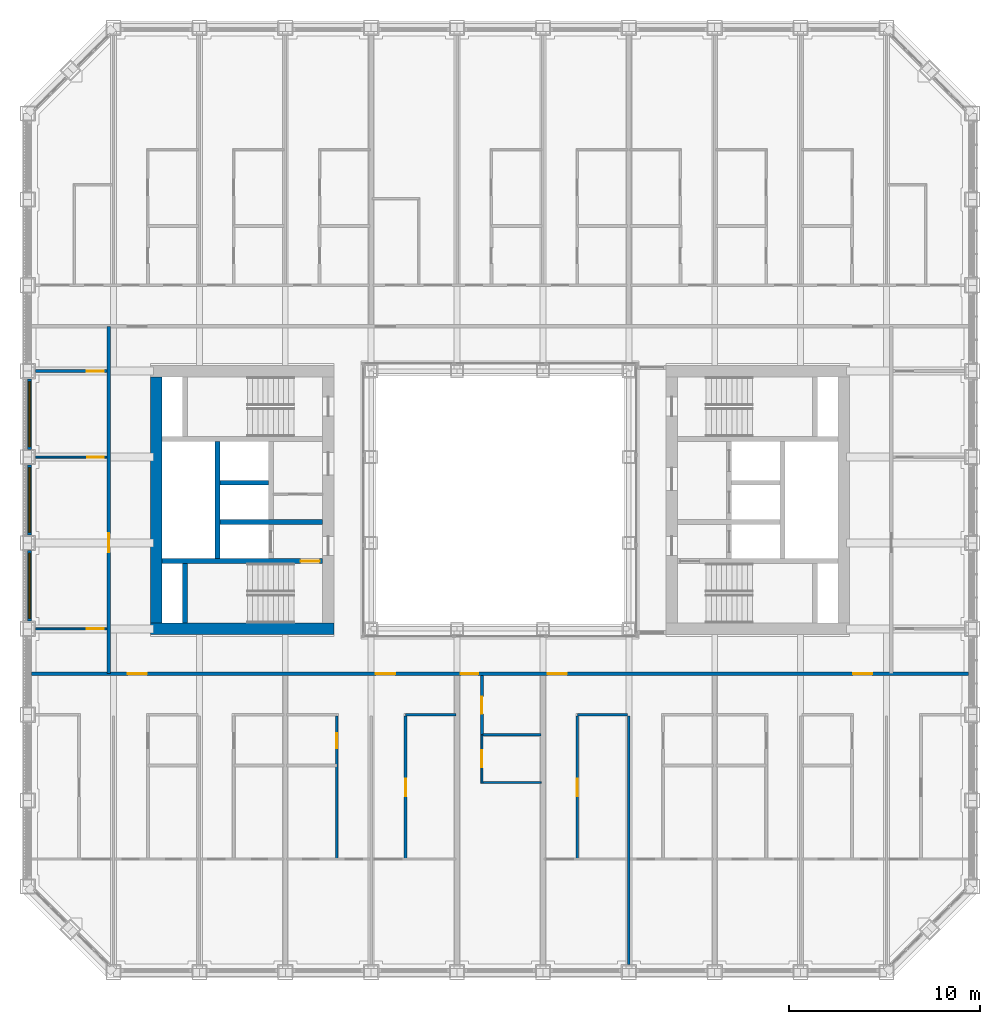
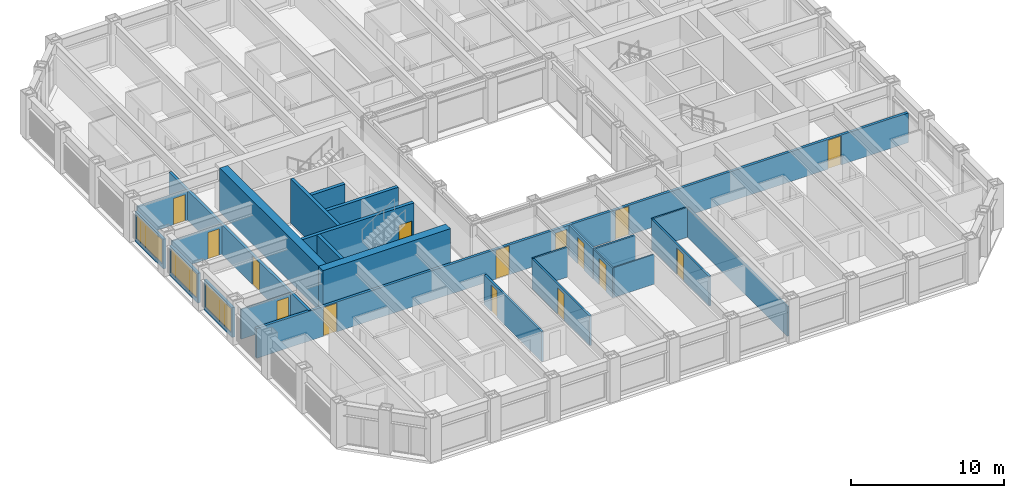
# One storey, part 10 of 21: 25 walls, 15 doors, 3 windows, 18 openings.
"""IFC4 building model written with IfcOpenShell, lengths in metres."""

from ifc_helpers import new_model, si_unit, direction, frame, frame_2d, origin, place, context, subcontext, project, spatial, rectangle, extrude, material, layer, layer_set, type_object, element, fill, save


model = new_model("IFC4")

# Units and contexts
model_context = context("Model", 3, precision=1e-05, world=origin(), true_north=direction((0.0, 1.0)))
body_context = subcontext(model_context, "Body", "Model", "MODEL_VIEW")
ifc_project = project(units=[si_unit("LENGTHUNIT", "METRE"), si_unit("AREAUNIT", "SQUARE_METRE"), si_unit("VOLUMEUNIT", "CUBIC_METRE"), si_unit("PLANEANGLEUNIT", "RADIAN"), si_unit("MASSUNIT", "GRAM", prefix="KILO")], contexts=[model_context])

# Site, building, storey
site_placement = place(None, origin())
site = spatial("IfcSite", under=ifc_project, at=site_placement, CompositionType="ELEMENT")
building_placement = place(site_placement, origin())
building = spatial("IfcBuilding", under=site, at=building_placement, Name="Msasa Ring Tower", CompositionType="ELEMENT")
storey_placement = place(building_placement, frame((0.0, 0.0, 68.5)))
storey = spatial("IfcBuildingStorey", under=building, at=storey_placement, Name="L17", CompositionType="ELEMENT", Elevation=68.5)

# Walls
ifc_material_1 = material(Name="Concrete C60/75", Category="concrete")
ifc_layer_1 = layer(ifc_material_1, 0.60009765625)
ifc_layer_set_1 = layer_set([ifc_layer_1], Name="CW1 CORE WALL 600")
wall_type_1 = type_object("IfcWallType", Name="CW1 CORE WALL 600", PredefinedType="SHEAR", material=ifc_layer_set_1)
wall_1_placement = place(storey_placement, frame((-8.699951171875, -6.75, 0.0), z_axis=(0.0, 0.0, 1.0), x_axis=(-1.0, 0.0, 0.0)))
element("IfcWall", 1, at=wall_1_placement, inside=storey, type_object=wall_type_1, Name="W core wall S L17", PredefinedType="SHEAR", context=body_context, shape_type="SweptSolid", body=[
    extrude(rectangle(XDim=9.60009765625, YDim=0.60009765625, at=frame_2d((4.800048828125, 0.0))), origin(), (0.0, 0.0, 1.0), 3.5),
])
wall_2_placement = place(storey_placement, frame((-18.0, -6.449951171875, 0.0), z_axis=(0.0, 0.0, 1.0), x_axis=(0.0, 1.0, 0.0)))
element("IfcWall", 2, at=wall_2_placement, inside=storey, type_object=wall_type_1, Name="W core wall E L17", PredefinedType="SHEAR", context=body_context, shape_type="SweptSolid", body=[
    extrude(rectangle(XDim=12.89990234375, YDim=0.60009765625, at=frame_2d((6.449951171875, 0.0))), origin(), (0.0, 0.0, 1.0), 3.5),
])

# Wall, opening, door
ifc_material_2 = material(Name="Concrete C60/75", Category="concrete")
ifc_layer_2 = layer(ifc_material_2, 0.25)
ifc_layer_set_2 = layer_set([ifc_layer_2], Name="CW4 CORE INNER WALL 250")
wall_type_2 = type_object("IfcWallType", Name="CW4 CORE INNER WALL 250", PredefinedType="SHEAR", material=ifc_layer_set_2)
wall_3_placement = place(storey_placement, frame((-9.300048828125, -3.199951171875, 0.0), z_axis=(0.0, 0.0, 1.0), x_axis=(-1.0, 0.0, 0.0)))
wall_3 = element("IfcWall", 3, at=wall_3_placement, inside=storey, type_object=wall_type_2, Name="W core wall STAIRA L17", PredefinedType="SHEAR", context=body_context, shape_type="SweptSolid", body=[
    extrude(rectangle(XDim=8.39990234375, YDim=0.25, at=frame_2d((4.199951171875, 0.0))), origin(), (0.0, 0.0, 1.0), 3.5),
])
opening_1_placement = place(wall_3_placement, frame((0.14990234375, 0.0, 0.0)))
opening_1 = element("IfcOpeningElement", 4, at=opening_1_placement, cuts=wall_3, Name="Opening RE-051", PredefinedType="OPENING", context=body_context, shape_type="SweptSolid", body=[
    extrude(rectangle(XDim=1.0, YDim=2.10009765625, at=frame_2d((0.5, 1.050048828125))), frame((0.0, 0.135009765625, 0.0), z_axis=(0.0, -1.0, 0.0), x_axis=(1.0, 0.0, 0.0)), (0.0, 0.0, 1.0), 0.27001953125),
])
ifc_material_3 = material(Name="Timber door leaf in a steel frame", Category="steel")
door_type_1 = type_object("IfcDoorType", Name="D6 STAIR DOOR 1000x2100", OperationType="SINGLE_SWING_LEFT", PredefinedType="DOOR", material=ifc_material_3)
door_1_placement = place(opening_1_placement, origin())
door_1 = element("IfcDoor", 5, at=door_1_placement, inside=storey, type_object=door_type_1, Name="Door L17-WSTA", OperationType="SINGLE_SWING_LEFT", OverallHeight=2.10009765625, OverallWidth=1.0, PredefinedType="DOOR", context=body_context, shape_type="SweptSolid", body=[
    extrude(rectangle(XDim=1.0, YDim=2.10009765625, at=frame_2d((0.5, 1.050048828125))), frame((0.0, 0.02490234375, 0.0), z_axis=(0.0, -1.0, 0.0), x_axis=(1.0, 0.0, 0.0)), (0.0, 0.0, 1.0), 0.050048828125),
])
fill(opening_1, door_1)

# Walls
wall_4_placement = place(storey_placement, frame((-16.5, -6.449951171875, 0.0), z_axis=(0.0, 0.0, 1.0), x_axis=(0.0, 1.0, 0.0)))
element("IfcWall", 6, at=wall_4_placement, inside=storey, type_object=wall_type_2, Name="W core wall RISERA L17", PredefinedType="SHEAR", context=body_context, shape_type="SweptSolid", body=[
    extrude(rectangle(XDim=3.125, YDim=0.25, at=frame_2d((1.5625, 0.0))), origin(), (0.0, 0.0, 1.0), 3.5),
])
wall_5_placement = place(storey_placement, frame((-9.300048828125, -1.14990234375, 0.0), z_axis=(0.0, 0.0, 1.0), x_axis=(-1.0, 0.0, 0.0)))
element("IfcWall", 7, at=wall_5_placement, inside=storey, type_object=wall_type_2, Name="W core wall FFL L17", PredefinedType="SHEAR", context=body_context, shape_type="SweptSolid", body=[
    extrude(rectangle(XDim=5.375, YDim=0.25, at=frame_2d((2.6875, 0.0))), origin(), (0.0, 0.0, 1.0), 3.5),
])
wall_6_placement = place(storey_placement, frame((-14.800048828125, -3.074951171875, 0.0), z_axis=(0.0, 0.0, 1.0), x_axis=(0.0, 1.0, 0.0)))
element("IfcWall", 8, at=wall_6_placement, inside=storey, type_object=wall_type_2, Name="W core wall SHAFT L17", PredefinedType="SHEAR", context=body_context, shape_type="SweptSolid", body=[
    extrude(rectangle(XDim=6.14990234375, YDim=0.25, at=frame_2d((3.074951171875, 0.0))), origin(), (0.0, 0.0, 1.0), 3.5),
])
wall_7_placement = place(storey_placement, frame((-12.125, 0.89990234375, 0.0), z_axis=(0.0, 0.0, 1.0), x_axis=(-1.0, 0.0, 0.0)))
element("IfcWall", 9, at=wall_7_placement, inside=storey, type_object=wall_type_2, Name="W core wall LIFT1 L17", PredefinedType="SHEAR", context=body_context, shape_type="SweptSolid", body=[
    extrude(rectangle(XDim=2.550048828125, YDim=0.25, at=frame_2d((1.27490234375, 0.0))), origin(), (0.0, 0.0, 1.0), 3.5),
])

# Wall, opening, window
ifc_material_4 = material(Name="Terracotta rainscreen on blockwork", Category="masonry")
ifc_layer_3 = layer(ifc_material_4, 0.199951171875)
ifc_layer_set_3 = layer_set([ifc_layer_3], Name="FW1 TERRACOTTA-LINED INFILL BAY WALL 200")
wall_type_3 = type_object("IfcWallType", Name="FW1 TERRACOTTA-LINED INFILL BAY WALL 200", PredefinedType="SOLIDWALL", material=ifc_layer_set_3)
wall_8_placement = place(storey_placement, frame((-24.64990234375, -6.344970703125, 0.0), z_axis=(0.0, 0.0, 1.0), x_axis=(0.0, 1.0, 0.0)))
wall_8 = element("IfcWall", 10, at=wall_8_placement, inside=storey, type_object=wall_type_3, Name="Infill bay wall W L17 36", PredefinedType="SOLIDWALL", context=body_context, shape_type="SweptSolid", body=[
    extrude(rectangle(XDim=3.68994140625, YDim=0.199951171875, at=frame_2d((1.844970703125, 0.0))), origin(), (0.0, 0.0, 1.0), 2.37890625),
])
opening_2_placement = place(wall_8_placement, frame((0.14501953125, 0.0, 0.300048828125)))
opening_2 = element("IfcOpeningElement", 11, at=opening_2_placement, cuts=wall_8, Name="Opening WN1", PredefinedType="OPENING", context=body_context, shape_type="SweptSolid", body=[
    extrude(rectangle(XDim=3.39990234375, YDim=1.928955078125, at=frame_2d((1.699951171875, 0.96435546875))), frame((0.0, 0.10986328125, 0.0), z_axis=(0.0, -1.0, 0.0), x_axis=(1.0, 0.0, 0.0)), (0.0, 0.0, 1.0), 0.219970703125),
])
ifc_material_5 = material(Name="Aluminium frame with clear glass", Category="aluminium")
window_type = type_object("IfcWindowType", Name="WN1 RESIDENCE WINDOW 3400x1929", PartitioningType="SINGLE_PANEL", PredefinedType="WINDOW", material=ifc_material_5)
window_1_placement = place(opening_2_placement, origin())
window_1 = element("IfcWindow", 12, at=window_1_placement, inside=storey, type_object=window_type, Name="Window W L17 36", OverallHeight=1.928955078125, OverallWidth=3.39990234375, PartitioningType="SINGLE_PANEL", PredefinedType="WINDOW", context=body_context, shape_type="SweptSolid", body=[
    extrude(rectangle(XDim=3.39990234375, YDim=1.928955078125, at=frame_2d((1.699951171875, 0.96435546875))), frame((0.0, 0.030029296875, 0.0), z_axis=(0.0, -1.0, 0.0), x_axis=(1.0, 0.0, 0.0)), (0.0, 0.0, 1.0), 0.06005859375),
])
fill(opening_2, window_1)

wall_9_placement = place(storey_placement, frame((-24.64990234375, -1.844970703125, 0.0), z_axis=(0.0, 0.0, 1.0), x_axis=(0.0, 1.0, 0.0)))
wall_9 = element("IfcWall", 13, at=wall_9_placement, inside=storey, type_object=wall_type_3, Name="Infill bay wall W L17 37", PredefinedType="SOLIDWALL", context=body_context, shape_type="SweptSolid", body=[
    extrude(rectangle(XDim=3.68994140625, YDim=0.199951171875, at=frame_2d((1.844970703125, 0.0))), origin(), (0.0, 0.0, 1.0), 2.37890625),
])
opening_3_placement = place(wall_9_placement, frame((0.14501953125, 0.0, 0.300048828125)))
opening_3 = element("IfcOpeningElement", 14, at=opening_3_placement, cuts=wall_9, Name="Opening WN1", PredefinedType="OPENING", context=body_context, shape_type="SweptSolid", body=[
    extrude(rectangle(XDim=3.39990234375, YDim=1.928955078125, at=frame_2d((1.699951171875, 0.96435546875))), frame((0.0, 0.10986328125, 0.0), z_axis=(0.0, -1.0, 0.0), x_axis=(1.0, 0.0, 0.0)), (0.0, 0.0, 1.0), 0.219970703125),
])
window_2_placement = place(opening_3_placement, origin())
window_2 = element("IfcWindow", 15, at=window_2_placement, inside=storey, type_object=window_type, Name="Window W L17 37", OverallHeight=1.928955078125, OverallWidth=3.39990234375, PartitioningType="SINGLE_PANEL", PredefinedType="WINDOW", context=body_context, shape_type="SweptSolid", body=[
    extrude(rectangle(XDim=3.39990234375, YDim=1.928955078125, at=frame_2d((1.699951171875, 0.96435546875))), frame((0.0, 0.030029296875, 0.0), z_axis=(0.0, -1.0, 0.0), x_axis=(1.0, 0.0, 0.0)), (0.0, 0.0, 1.0), 0.06005859375),
])
fill(opening_3, window_2)

wall_10_placement = place(storey_placement, frame((-24.64990234375, 2.655029296875, 0.0), z_axis=(0.0, 0.0, 1.0), x_axis=(0.0, 1.0, 0.0)))
wall_10 = element("IfcWall", 16, at=wall_10_placement, inside=storey, type_object=wall_type_3, Name="Infill bay wall W L17 38", PredefinedType="SOLIDWALL", context=body_context, shape_type="SweptSolid", body=[
    extrude(rectangle(XDim=3.68994140625, YDim=0.199951171875, at=frame_2d((1.844970703125, 0.0))), origin(), (0.0, 0.0, 1.0), 2.37890625),
])
opening_4_placement = place(wall_10_placement, frame((0.14501953125, 0.0, 0.300048828125)))
opening_4 = element("IfcOpeningElement", 17, at=opening_4_placement, cuts=wall_10, Name="Opening WN1", PredefinedType="OPENING", context=body_context, shape_type="SweptSolid", body=[
    extrude(rectangle(XDim=3.39990234375, YDim=1.928955078125, at=frame_2d((1.699951171875, 0.96435546875))), frame((0.0, 0.10986328125, 0.0), z_axis=(0.0, -1.0, 0.0), x_axis=(1.0, 0.0, 0.0)), (0.0, 0.0, 1.0), 0.219970703125),
])
window_3_placement = place(opening_4_placement, origin())
window_3 = element("IfcWindow", 18, at=window_3_placement, inside=storey, type_object=window_type, Name="Window W L17 38", OverallHeight=1.928955078125, OverallWidth=3.39990234375, PartitioningType="SINGLE_PANEL", PredefinedType="WINDOW", context=body_context, shape_type="SweptSolid", body=[
    extrude(rectangle(XDim=3.39990234375, YDim=1.928955078125, at=frame_2d((1.699951171875, 0.96435546875))), frame((0.0, 0.030029296875, 0.0), z_axis=(0.0, -1.0, 0.0), x_axis=(1.0, 0.0, 0.0)), (0.0, 0.0, 1.0), 0.06005859375),
])
fill(opening_4, window_3)

# Wall, openings, doors
ifc_material_6 = material(Name="Concrete blockwork", Category="masonry")
ifc_layer_4 = layer(ifc_material_6, 0.199951171875)
ifc_layer_set_4 = layer_set([ifc_layer_4], Name="PT1 CORRIDOR WALL 200")
wall_type_4 = type_object("IfcWallType", Name="PT1 CORRIDOR WALL 200", PredefinedType="PARTITIONING", material=ifc_layer_set_4)
wall_11_placement = place(storey_placement, frame((-24.550048828125, -9.10009765625, 0.0), z_axis=(0.0, 0.0, 1.0), x_axis=(1.0, 0.0, 0.0)))
wall_11 = element("IfcWall", 19, at=wall_11_placement, inside=storey, type_object=wall_type_4, Name="Corridor wall L17-CORRS0", PredefinedType="PARTITIONING", context=body_context, shape_type="SweptSolid", body=[
    extrude(rectangle(XDim=49.10009765625, YDim=0.199951171875, at=frame_2d((24.550048828125, 0.0))), origin(), (0.0, 0.0, 1.0), 2.373291015625),
])
opening_5_placement = place(wall_11_placement, frame((5.050048828125, 0.0, 0.0)))
opening_5 = element("IfcOpeningElement", 20, at=opening_5_placement, cuts=wall_11, Name="Opening RE-056", PredefinedType="OPENING", context=body_context, shape_type="SweptSolid", body=[
    extrude(rectangle(XDim=1.0, YDim=2.300048828125, at=frame_2d((0.5, 1.14990234375))), frame((0.0, 0.10986328125, 0.0), z_axis=(0.0, -1.0, 0.0), x_axis=(1.0, 0.0, 0.0)), (0.0, 0.0, 1.0), 0.219970703125),
])
opening_6_placement = place(wall_11_placement, frame((18.050048828125, 0.0, 0.0)))
opening_6 = element("IfcOpeningElement", 21, at=opening_6_placement, cuts=wall_11, Name="Opening RE-057", PredefinedType="OPENING", context=body_context, shape_type="SweptSolid", body=[
    extrude(rectangle(XDim=1.0, YDim=2.300048828125, at=frame_2d((0.5, 1.14990234375))), frame((0.0, 0.10986328125, 0.0), z_axis=(0.0, -1.0, 0.0), x_axis=(1.0, 0.0, 0.0)), (0.0, 0.0, 1.0), 0.219970703125),
])
opening_7_placement = place(wall_11_placement, frame((22.5, 0.0, 0.0)))
opening_7 = element("IfcOpeningElement", 22, at=opening_7_placement, cuts=wall_11, Name="Opening RE-058", PredefinedType="OPENING", context=body_context, shape_type="SweptSolid", body=[
    extrude(rectangle(XDim=0.89990234375, YDim=2.10009765625, at=frame_2d((0.449951171875, 1.050048828125))), frame((0.0, 0.10986328125, 0.0), z_axis=(0.0, -1.0, 0.0), x_axis=(1.0, 0.0, 0.0)), (0.0, 0.0, 1.0), 0.219970703125),
])
opening_8_placement = place(wall_11_placement, frame((27.050048828125, 0.0, 0.0)))
opening_8 = element("IfcOpeningElement", 23, at=opening_8_placement, cuts=wall_11, Name="Opening RE-059", PredefinedType="OPENING", context=body_context, shape_type="SweptSolid", body=[
    extrude(rectangle(XDim=1.0, YDim=2.300048828125, at=frame_2d((0.5, 1.14990234375))), frame((0.0, 0.10986328125, 0.0), z_axis=(0.0, -1.0, 0.0), x_axis=(1.0, 0.0, 0.0)), (0.0, 0.0, 1.0), 0.219970703125),
])
opening_9_placement = place(wall_11_placement, frame((43.050048828125, 0.0, 0.0)))
opening_9 = element("IfcOpeningElement", 24, at=opening_9_placement, cuts=wall_11, Name="Opening RE-060", PredefinedType="OPENING", context=body_context, shape_type="SweptSolid", body=[
    extrude(rectangle(XDim=1.0, YDim=2.300048828125, at=frame_2d((0.5, 1.14990234375))), frame((0.0, 0.10986328125, 0.0), z_axis=(0.0, -1.0, 0.0), x_axis=(1.0, 0.0, 0.0)), (0.0, 0.0, 1.0), 0.219970703125),
])
ifc_material_7 = material(Name="Timber door leaf in a steel frame", Category="steel")
door_type_2 = type_object("IfcDoorType", Name="D16 UPPER RESIDENCE ENTRANCE DOOR 1000x2300", OperationType="SINGLE_SWING_LEFT", PredefinedType="DOOR", material=ifc_material_7)
door_2_placement = place(opening_5_placement, origin())
door_2 = element("IfcDoor", 25, at=door_2_placement, inside=storey, type_object=door_type_2, Name="Door L17-US00", OperationType="SINGLE_SWING_LEFT", OverallHeight=2.300048828125, OverallWidth=1.0, PredefinedType="DOOR", context=body_context, shape_type="SweptSolid", body=[
    extrude(rectangle(XDim=1.0, YDim=2.300048828125, at=frame_2d((0.5, 1.14990234375))), frame((0.0, 0.02490234375, 0.0), z_axis=(0.0, -1.0, 0.0), x_axis=(1.0, 0.0, 0.0)), (0.0, 0.0, 1.0), 0.050048828125),
])
fill(opening_5, door_2)
door_3_placement = place(opening_6_placement, origin())
door_3 = element("IfcDoor", 26, at=door_3_placement, inside=storey, type_object=door_type_2, Name="Door L17-US01", OperationType="SINGLE_SWING_LEFT", OverallHeight=2.300048828125, OverallWidth=1.0, PredefinedType="DOOR", context=body_context, shape_type="SweptSolid", body=[
    extrude(rectangle(XDim=1.0, YDim=2.300048828125, at=frame_2d((0.5, 1.14990234375))), frame((0.0, 0.02490234375, 0.0), z_axis=(0.0, -1.0, 0.0), x_axis=(1.0, 0.0, 0.0)), (0.0, 0.0, 1.0), 0.050048828125),
])
fill(opening_6, door_3)
door_4_placement = place(opening_8_placement, origin())
door_4 = element("IfcDoor", 27, at=door_4_placement, inside=storey, type_object=door_type_2, Name="Door L17-US03", OperationType="SINGLE_SWING_RIGHT", OverallHeight=2.300048828125, OverallWidth=1.0, PredefinedType="DOOR", context=body_context, shape_type="SweptSolid", body=[
    extrude(rectangle(XDim=1.0, YDim=2.300048828125, at=frame_2d((0.5, 1.14990234375))), frame((0.0, 0.02490234375, 0.0), z_axis=(0.0, -1.0, 0.0), x_axis=(1.0, 0.0, 0.0)), (0.0, 0.0, 1.0), 0.050048828125),
])
fill(opening_8, door_4)
door_5_placement = place(opening_9_placement, origin())
door_5 = element("IfcDoor", 28, at=door_5_placement, inside=storey, type_object=door_type_2, Name="Door L17-US04", OperationType="SINGLE_SWING_RIGHT", OverallHeight=2.300048828125, OverallWidth=1.0, PredefinedType="DOOR", context=body_context, shape_type="SweptSolid", body=[
    extrude(rectangle(XDim=1.0, YDim=2.300048828125, at=frame_2d((0.5, 1.14990234375))), frame((0.0, 0.02490234375, 0.0), z_axis=(0.0, -1.0, 0.0), x_axis=(1.0, 0.0, 0.0)), (0.0, 0.0, 1.0), 0.050048828125),
])
fill(opening_9, door_5)
ifc_material_8 = material(Name="Timber door leaf in a steel frame", Category="steel")
door_type_3 = type_object("IfcDoorType", Name="D2 ENTRANCE DOOR 900x2100", OperationType="SINGLE_SWING_LEFT", PredefinedType="DOOR", material=ifc_material_8)
door_6_placement = place(opening_7_placement, origin())
door_6 = element("IfcDoor", 29, at=door_6_placement, inside=storey, type_object=door_type_3, Name="Door L17-US02", OperationType="SINGLE_SWING_LEFT", OverallHeight=2.10009765625, OverallWidth=0.89990234375, PredefinedType="DOOR", context=body_context, shape_type="SweptSolid", body=[
    extrude(rectangle(XDim=0.89990234375, YDim=2.10009765625, at=frame_2d((0.449951171875, 1.050048828125))), frame((0.0, 0.02490234375, 0.0), z_axis=(0.0, -1.0, 0.0), x_axis=(1.0, 0.0, 0.0)), (0.0, 0.0, 1.0), 0.050048828125),
])
fill(opening_7, door_6)

# Wall, opening, door
wall_12_placement = place(storey_placement, frame((-20.5, -9.10009765625, 0.0), z_axis=(0.0, 0.0, 1.0), x_axis=(0.0, 1.0, 0.0)))
wall_12 = element("IfcWall", 30, at=wall_12_placement, inside=storey, type_object=wall_type_4, Name="Corridor wall L17-STRW", PredefinedType="PARTITIONING", context=body_context, shape_type="SweptSolid", body=[
    extrude(rectangle(XDim=18.2001953125, YDim=0.199951171875, at=frame_2d((9.10009765625, 0.0))), origin(), (0.0, 0.0, 1.0), 2.373291015625),
])
opening_10_placement = place(wall_12_placement, frame((6.35009765625, 0.0, 0.0)))
opening_10 = element("IfcOpeningElement", 31, at=opening_10_placement, cuts=wall_12, Name="Opening RE-047", PredefinedType="OPENING", context=body_context, shape_type="SweptSolid", body=[
    extrude(rectangle(XDim=1.0, YDim=2.300048828125, at=frame_2d((0.5, 1.14990234375))), frame((0.0, 0.10986328125, 0.0), z_axis=(0.0, -1.0, 0.0), x_axis=(1.0, 0.0, 0.0)), (0.0, 0.0, 1.0), 0.219970703125),
])
door_7_placement = place(opening_10_placement, origin())
door_7 = element("IfcDoor", 32, at=door_7_placement, inside=storey, type_object=door_type_2, Name="Door L17-STW", OperationType="SINGLE_SWING_LEFT", OverallHeight=2.300048828125, OverallWidth=1.0, PredefinedType="DOOR", context=body_context, shape_type="SweptSolid", body=[
    extrude(rectangle(XDim=1.0, YDim=2.300048828125, at=frame_2d((0.5, 1.14990234375))), frame((0.0, 0.02490234375, 0.0), z_axis=(0.0, -1.0, 0.0), x_axis=(1.0, 0.0, 0.0)), (0.0, 0.0, 1.0), 0.050048828125),
])
fill(opening_10, door_7)

# Wall
ifc_material_9 = material(Name="Gypsum board on steel studs", Category="steel")
ifc_layer_5 = layer(ifc_material_9, 0.10009765625)
ifc_layer_set_5 = layer_set([ifc_layer_5], Name="PT2 STUD PARTITION 100")
wall_type_5 = type_object("IfcWallType", Name="PT2 STUD PARTITION 100", PredefinedType="PARTITIONING", material=ifc_layer_set_5)
wall_13_placement = place(storey_placement, frame((-0.89990234375, -14.800048828125, 0.0), z_axis=(0.0, 0.0, 1.0), x_axis=(1.0, 0.0, 0.0)))
element("IfcWall", 33, at=wall_13_placement, inside=storey, type_object=wall_type_5, Name="Partition L17-US02KY", PredefinedType="PARTITIONING", context=body_context, shape_type="SweptSolid", body=[
    extrude(rectangle(XDim=3.0498046875, YDim=0.10009765625, at=frame_2d((1.52490234375, 0.0))), origin(), (0.0, 0.0, 1.0), 2.373291015625),
])

# Wall, opening, door
wall_14_placement = place(storey_placement, frame((-0.949951171875, -14.85009765625, 0.0), z_axis=(0.0, 0.0, 1.0), x_axis=(0.0, 1.0, 0.0)))
wall_14 = element("IfcWall", 34, at=wall_14_placement, inside=storey, type_object=wall_type_5, Name="Partition L17-US02KX", PredefinedType="PARTITIONING", context=body_context, shape_type="SweptSolid", body=[
    extrude(rectangle(XDim=2.550048828125, YDim=0.10009765625, at=frame_2d((1.27490234375, 0.0))), origin(), (0.0, 0.0, 1.0), 2.373291015625),
])
opening_11_placement = place(wall_14_placement, frame((0.840087890625, 0.0, 0.0)))
opening_11 = element("IfcOpeningElement", 35, at=opening_11_placement, cuts=wall_14, Name="Opening RE-068", PredefinedType="OPENING", context=body_context, shape_type="SweptSolid", body=[
    extrude(rectangle(XDim=0.89990234375, YDim=2.10009765625, at=frame_2d((0.449951171875, 1.050048828125))), frame((0.0, 0.06005859375, 0.0), z_axis=(0.0, -1.0, 0.0), x_axis=(1.0, 0.0, 0.0)), (0.0, 0.0, 1.0), 0.1201171875),
])
ifc_material_10 = material(Name="Timber door leaf in a steel frame", Category="steel")
door_type_4 = type_object("IfcDoorType", Name="D22 INTERNAL HALL DOOR 900x2100", OperationType="SINGLE_SWING_LEFT", PredefinedType="DOOR", material=ifc_material_10)
door_8_placement = place(opening_11_placement, origin())
door_8 = element("IfcDoor", 36, at=door_8_placement, inside=storey, type_object=door_type_4, Name="Door L17-US02K", OperationType="SINGLE_SWING_LEFT", OverallHeight=2.10009765625, OverallWidth=0.89990234375, PredefinedType="DOOR", context=body_context, shape_type="SweptSolid", body=[
    extrude(rectangle(XDim=0.89990234375, YDim=2.10009765625, at=frame_2d((0.449951171875, 1.050048828125))), frame((0.0, 0.02490234375, 0.0), z_axis=(0.0, -1.0, 0.0), x_axis=(1.0, 0.0, 0.0)), (0.0, 0.0, 1.0), 0.050048828125),
])
fill(opening_11, door_8)

wall_15_placement = place(storey_placement, frame((-24.35009765625, -6.75, 0.0), z_axis=(0.0, 0.0, 1.0), x_axis=(1.0, 0.0, 0.0)))
wall_15 = element("IfcWall", 37, at=wall_15_placement, inside=storey, type_object=wall_type_5, Name="Partition L17-STWKY", PredefinedType="PARTITIONING", context=body_context, shape_type="SweptSolid", body=[
    extrude(rectangle(XDim=3.75, YDim=0.10009765625, at=frame_2d((1.875, 0.0))), origin(), (0.0, 0.0, 1.0), 2.373291015625),
])
opening_12_placement = place(wall_15_placement, frame((2.699951171875, 0.0, 0.0)))
opening_12 = element("IfcOpeningElement", 38, at=opening_12_placement, cuts=wall_15, Name="Opening RE-053", PredefinedType="OPENING", context=body_context, shape_type="SweptSolid", body=[
    extrude(rectangle(XDim=0.89990234375, YDim=2.10009765625, at=frame_2d((0.449951171875, 1.050048828125))), frame((0.0, 0.06005859375, 0.0), z_axis=(0.0, -1.0, 0.0), x_axis=(1.0, 0.0, 0.0)), (0.0, 0.0, 1.0), 0.1201171875),
])
door_9_placement = place(opening_12_placement, origin())
door_9 = element("IfcDoor", 39, at=door_9_placement, inside=storey, type_object=door_type_4, Name="Door L17-STWK", OperationType="SINGLE_SWING_RIGHT", OverallHeight=2.10009765625, OverallWidth=0.89990234375, PredefinedType="DOOR", context=body_context, shape_type="SweptSolid", body=[
    extrude(rectangle(XDim=0.89990234375, YDim=2.10009765625, at=frame_2d((0.449951171875, 1.050048828125))), frame((0.0, 0.02490234375, 0.0), z_axis=(0.0, -1.0, 0.0), x_axis=(1.0, 0.0, 0.0)), (0.0, 0.0, 1.0), 0.050048828125),
])
fill(opening_12, door_9)

wall_16_placement = place(storey_placement, frame((-24.35009765625, 2.25, 0.0), z_axis=(0.0, 0.0, 1.0), x_axis=(1.0, 0.0, 0.0)))
wall_16 = element("IfcWall", 40, at=wall_16_placement, inside=storey, type_object=wall_type_5, Name="Partition L17-STWRY", PredefinedType="PARTITIONING", context=body_context, shape_type="SweptSolid", body=[
    extrude(rectangle(XDim=3.75, YDim=0.10009765625, at=frame_2d((1.875, 0.0))), origin(), (0.0, 0.0, 1.0), 2.373291015625),
])
opening_13_placement = place(wall_16_placement, frame((2.72509765625, 0.0, 0.0)))
opening_13 = element("IfcOpeningElement", 41, at=opening_13_placement, cuts=wall_16, Name="Opening RE-042", PredefinedType="OPENING", context=body_context, shape_type="SweptSolid", body=[
    extrude(rectangle(XDim=0.85009765625, YDim=2.10009765625, at=frame_2d((0.425048828125, 1.050048828125))), frame((0.0, 0.06005859375, 0.0), z_axis=(0.0, -1.0, 0.0), x_axis=(1.0, 0.0, 0.0)), (0.0, 0.0, 1.0), 0.1201171875),
])
ifc_material_11 = material(Name="Timber door leaf in a steel frame", Category="steel")
door_type_5 = type_object("IfcDoorType", Name="D14 BEDROOM DOOR 850x2100", OperationType="SINGLE_SWING_LEFT", PredefinedType="DOOR", material=ifc_material_11)
door_10_placement = place(opening_13_placement, origin())
door_10 = element("IfcDoor", 42, at=door_10_placement, inside=storey, type_object=door_type_5, Name="Door L17-STWR", OperationType="SINGLE_SWING_RIGHT", OverallHeight=2.10009765625, OverallWidth=0.85009765625, PredefinedType="DOOR", context=body_context, shape_type="SweptSolid", body=[
    extrude(rectangle(XDim=0.85009765625, YDim=2.10009765625, at=frame_2d((0.425048828125, 1.050048828125))), frame((0.0, 0.02490234375, 0.0), z_axis=(0.0, -1.0, 0.0), x_axis=(1.0, 0.0, 0.0)), (0.0, 0.0, 1.0), 0.050048828125),
])
fill(opening_13, door_10)

ifc_material_12 = material(Name="Moisture-resistant board on steel studs with a concealed cistern and pipe void, tiled", Category="steel")
ifc_layer_6 = layer(ifc_material_12, 0.14990234375)
ifc_layer_set_6 = layer_set([ifc_layer_6], Name="PT4 BATHROOM WET WALL 150")
wall_type_6 = type_object("IfcWallType", Name="PT4 BATHROOM WET WALL 150", PredefinedType="PARTITIONING", material=ifc_layer_set_6)
wall_17_placement = place(storey_placement, frame((-4.949951171875, -18.8125, 0.0), z_axis=(0.0, 0.0, 1.0), x_axis=(0.0, 1.0, 0.0)))
wall_17 = element("IfcWall", 43, at=wall_17_placement, inside=storey, type_object=wall_type_6, Name="Partition L17-US01SX0", PredefinedType="PARTITIONING", context=body_context, shape_type="SweptSolid", body=[
    extrude(rectangle(XDim=7.5, YDim=0.14990234375, at=frame_2d((3.75, 0.0))), origin(), (0.0, 0.0, 1.0), 2.373291015625),
])
opening_14_placement = place(wall_17_placement, frame((3.300048828125, 0.0, 0.0)))
opening_14 = element("IfcOpeningElement", 44, at=opening_14_placement, cuts=wall_17, Name="Opening RE-070", PredefinedType="OPENING", context=body_context, shape_type="SweptSolid", body=[
    extrude(rectangle(XDim=0.89990234375, YDim=2.10009765625, at=frame_2d((0.449951171875, 1.050048828125))), frame((0.0, 0.0849609375, 0.0), z_axis=(0.0, -1.0, 0.0), x_axis=(1.0, 0.0, 0.0)), (0.0, 0.0, 1.0), 0.169921875),
])
door_11_placement = place(opening_14_placement, origin())
door_11 = element("IfcDoor", 45, at=door_11_placement, inside=storey, type_object=door_type_4, Name="Door L17-US01K", OperationType="SINGLE_SWING_LEFT", OverallHeight=2.10009765625, OverallWidth=0.89990234375, PredefinedType="DOOR", context=body_context, shape_type="SweptSolid", body=[
    extrude(rectangle(XDim=0.89990234375, YDim=2.10009765625, at=frame_2d((0.449951171875, 1.050048828125))), frame((0.0, 0.02490234375, 0.0), z_axis=(0.0, -1.0, 0.0), x_axis=(1.0, 0.0, 0.0)), (0.0, 0.0, 1.0), 0.050048828125),
])
fill(opening_14, door_11)

wall_18_placement = place(storey_placement, frame((-8.550048828125, -18.8125, 0.0), z_axis=(0.0, 0.0, 1.0), x_axis=(0.0, 1.0, 0.0)))
wall_18 = element("IfcWall", 46, at=wall_18_placement, inside=storey, type_object=wall_type_6, Name="Partition L17-US01SX1", PredefinedType="PARTITIONING", context=body_context, shape_type="SweptSolid", body=[
    extrude(rectangle(XDim=7.5, YDim=0.14990234375, at=frame_2d((3.75, 0.0))), origin(), (0.0, 0.0, 1.0), 2.373291015625),
])
opening_15_placement = place(wall_18_placement, frame((5.800048828125, 0.0, 0.0)))
opening_15 = element("IfcOpeningElement", 47, at=opening_15_placement, cuts=wall_18, Name="Opening RE-064", PredefinedType="OPENING", context=body_context, shape_type="SweptSolid", body=[
    extrude(rectangle(XDim=0.800048828125, YDim=2.10009765625, at=frame_2d((0.39990234375, 1.050048828125))), frame((0.0, 0.0849609375, 0.0), z_axis=(0.0, -1.0, 0.0), x_axis=(1.0, 0.0, 0.0)), (0.0, 0.0, 1.0), 0.169921875),
])
ifc_material_13 = material(Name="Timber door leaf in a steel frame", Category="steel")
door_type_6 = type_object("IfcDoorType", Name="D21 POCKET SLIDING BATHROOM DOOR 800x2100", OperationType="SINGLE_SWING_LEFT", PredefinedType="DOOR", material=ifc_material_13)
door_12_placement = place(opening_15_placement, origin())
door_12 = element("IfcDoor", 48, at=door_12_placement, inside=storey, type_object=door_type_6, Name="Door L17-US01B1", OperationType="SINGLE_SWING_RIGHT", OverallHeight=2.10009765625, OverallWidth=0.800048828125, PredefinedType="DOOR", context=body_context, shape_type="SweptSolid", body=[
    extrude(rectangle(XDim=0.800048828125, YDim=2.10009765625, at=frame_2d((0.39990234375, 1.050048828125))), frame((0.0, 0.02490234375, 0.0), z_axis=(0.0, -1.0, 0.0), x_axis=(1.0, 0.0, 0.0)), (0.0, 0.0, 1.0), 0.050048828125),
])
fill(opening_15, door_12)

wall_19_placement = place(storey_placement, frame((-0.949951171875, -12.35009765625, 0.0), z_axis=(0.0, 0.0, 1.0), x_axis=(0.0, 1.0, 0.0)))
wall_19 = element("IfcWall", 49, at=wall_19_placement, inside=storey, type_object=wall_type_6, Name="Partition L17-US02BX", PredefinedType="PARTITIONING", context=body_context, shape_type="SweptSolid", body=[
    extrude(rectangle(XDim=3.150146484375, YDim=0.14990234375, at=frame_2d((1.5751953125, 0.0))), origin(), (0.0, 0.0, 1.0), 2.373291015625),
])
opening_16_placement = place(wall_19_placement, frame((1.14990234375, 0.0, 0.0)))
opening_16 = element("IfcOpeningElement", 50, at=opening_16_placement, cuts=wall_19, Name="Opening RE-061", PredefinedType="OPENING", context=body_context, shape_type="SweptSolid", body=[
    extrude(rectangle(XDim=0.89990234375, YDim=2.10009765625, at=frame_2d((0.449951171875, 1.050048828125))), frame((0.0, 0.0849609375, 0.0), z_axis=(0.0, -1.0, 0.0), x_axis=(1.0, 0.0, 0.0)), (0.0, 0.0, 1.0), 0.169921875),
])
ifc_material_14 = material(Name="Timber door leaf in a steel frame", Category="steel")
door_type_7 = type_object("IfcDoorType", Name="D3 BATHROOM DOOR 900x2100", OperationType="SINGLE_SWING_LEFT", PredefinedType="DOOR", material=ifc_material_14)
door_13_placement = place(opening_16_placement, origin())
door_13 = element("IfcDoor", 51, at=door_13_placement, inside=storey, type_object=door_type_7, Name="Door L17-US02B", OperationType="SINGLE_SWING_LEFT", OverallHeight=2.10009765625, OverallWidth=0.89990234375, PredefinedType="DOOR", context=body_context, shape_type="SweptSolid", body=[
    extrude(rectangle(XDim=0.89990234375, YDim=2.10009765625, at=frame_2d((0.449951171875, 1.050048828125))), frame((0.0, 0.02490234375, 0.0), z_axis=(0.0, -1.0, 0.0), x_axis=(1.0, 0.0, 0.0)), (0.0, 0.0, 1.0), 0.050048828125),
])
fill(opening_16, door_13)

# Wall
wall_20_placement = place(storey_placement, frame((-0.89990234375, -12.300048828125, 0.0), z_axis=(0.0, 0.0, 1.0), x_axis=(1.0, 0.0, 0.0)))
element("IfcWall", 52, at=wall_20_placement, inside=storey, type_object=wall_type_6, Name="Partition L17-US02BY", PredefinedType="PARTITIONING", context=body_context, shape_type="SweptSolid", body=[
    extrude(rectangle(XDim=3.0498046875, YDim=0.14990234375, at=frame_2d((1.52490234375, 0.0))), origin(), (0.0, 0.0, 1.0), 2.373291015625),
])

# Wall, opening, door
wall_21_placement = place(storey_placement, frame((4.050048828125, -18.8125, 0.0), z_axis=(0.0, 0.0, 1.0), x_axis=(0.0, 1.0, 0.0)))
wall_21 = element("IfcWall", 53, at=wall_21_placement, inside=storey, type_object=wall_type_6, Name="Partition L17-US03SX0", PredefinedType="PARTITIONING", context=body_context, shape_type="SweptSolid", body=[
    extrude(rectangle(XDim=7.5, YDim=0.14990234375, at=frame_2d((3.75, 0.0))), origin(), (0.0, 0.0, 1.0), 2.373291015625),
])
opening_17_placement = place(wall_21_placement, frame((3.300048828125, 0.0, 0.0)))
opening_17 = element("IfcOpeningElement", 54, at=opening_17_placement, cuts=wall_21, Name="Opening RE-071", PredefinedType="OPENING", context=body_context, shape_type="SweptSolid", body=[
    extrude(rectangle(XDim=0.89990234375, YDim=2.10009765625, at=frame_2d((0.449951171875, 1.050048828125))), frame((0.0, 0.0849609375, 0.0), z_axis=(0.0, -1.0, 0.0), x_axis=(1.0, 0.0, 0.0)), (0.0, 0.0, 1.0), 0.169921875),
])
door_14_placement = place(opening_17_placement, origin())
door_14 = element("IfcDoor", 55, at=door_14_placement, inside=storey, type_object=door_type_4, Name="Door L17-US03K", OperationType="SINGLE_SWING_LEFT", OverallHeight=2.10009765625, OverallWidth=0.89990234375, PredefinedType="DOOR", context=body_context, shape_type="SweptSolid", body=[
    extrude(rectangle(XDim=0.89990234375, YDim=2.10009765625, at=frame_2d((0.449951171875, 1.050048828125))), frame((0.0, 0.02490234375, 0.0), z_axis=(0.0, -1.0, 0.0), x_axis=(1.0, 0.0, 0.0)), (0.0, 0.0, 1.0), 0.050048828125),
])
fill(opening_17, door_14)

wall_22_placement = place(storey_placement, frame((-24.35009765625, 6.75, 0.0), z_axis=(0.0, 0.0, 1.0), x_axis=(1.0, 0.0, 0.0)))
wall_22 = element("IfcWall", 56, at=wall_22_placement, inside=storey, type_object=wall_type_6, Name="Partition L17-STWBY", PredefinedType="PARTITIONING", context=body_context, shape_type="SweptSolid", body=[
    extrude(rectangle(XDim=3.75, YDim=0.14990234375, at=frame_2d((1.875, 0.0))), origin(), (0.0, 0.0, 1.0), 2.373291015625),
])
opening_18_placement = place(wall_22_placement, frame((2.699951171875, 0.0, 0.0)))
opening_18 = element("IfcOpeningElement", 57, at=opening_18_placement, cuts=wall_22, Name="Opening RE-038", PredefinedType="OPENING", context=body_context, shape_type="SweptSolid", body=[
    extrude(rectangle(XDim=0.89990234375, YDim=2.10009765625, at=frame_2d((0.449951171875, 1.050048828125))), frame((0.0, 0.0849609375, 0.0), z_axis=(0.0, -1.0, 0.0), x_axis=(1.0, 0.0, 0.0)), (0.0, 0.0, 1.0), 0.169921875),
])
door_15_placement = place(opening_18_placement, origin())
door_15 = element("IfcDoor", 58, at=door_15_placement, inside=storey, type_object=door_type_7, Name="Door L17-STWB", OperationType="SINGLE_SWING_RIGHT", OverallHeight=2.10009765625, OverallWidth=0.89990234375, PredefinedType="DOOR", context=body_context, shape_type="SweptSolid", body=[
    extrude(rectangle(XDim=0.89990234375, YDim=2.10009765625, at=frame_2d((0.449951171875, 1.050048828125))), frame((0.0, 0.02490234375, 0.0), z_axis=(0.0, -1.0, 0.0), x_axis=(1.0, 0.0, 0.0)), (0.0, 0.0, 1.0), 0.050048828125),
])
fill(opening_18, door_15)

# Walls
ifc_material_15 = material(Name="Two layers of acoustic board each face on steel studs, mineral wool", Category="steel")
ifc_layer_7 = layer(ifc_material_15, 0.125)
ifc_layer_set_7 = layer_set([ifc_layer_7], Name="PT6 ACOUSTIC DOUBLE-BOARD PARTITION 125")
wall_type_7 = type_object("IfcWallType", Name="PT6 ACOUSTIC DOUBLE-BOARD PARTITION 125", PredefinedType="PARTITIONING", material=ifc_layer_set_7)
for number, where, z_axis, x_axis, name in (
    (59, (-4.949951171875, -11.25, 0.0), (0.0, 0.0, 1.0), (1.0, 0.0, 0.0), "Partition L17-US01HY0"),
    (60, (4.050048828125, -11.25, 0.0), (0.0, 0.0, 1.0), (1.0, 0.0, 0.0), "Partition L17-US03HY0"),
):
    element("IfcWall", number, at=place(storey_placement, frame(where, z_axis=z_axis, x_axis=x_axis)), inside=storey, type_object=wall_type_7, Name=name, PredefinedType="PARTITIONING", context=body_context, shape_type="SweptSolid", body=[
        extrude(rectangle(XDim=2.632568359375, YDim=0.125, at=frame_2d((1.31640625, 0.0))), origin(), (0.0, 0.0, 1.0), 2.373291015625),
    ])
wall_23_placement = place(storey_placement, frame((6.75, -24.35009765625, 0.0), z_axis=(0.0, 0.0, 1.0), x_axis=(0.0, 1.0, 0.0)))
element("IfcWall", 61, at=wall_23_placement, inside=storey, type_object=wall_type_7, Name="Partition L17-US03P1", PredefinedType="PARTITIONING", context=body_context, shape_type="SweptSolid", body=[
    extrude(rectangle(XDim=13.03759765625, YDim=0.125, at=frame_2d((6.518798828125, 0.0))), origin(), (0.0, 0.0, 1.0), 2.373291015625),
])

save(model, "model.ifc")
